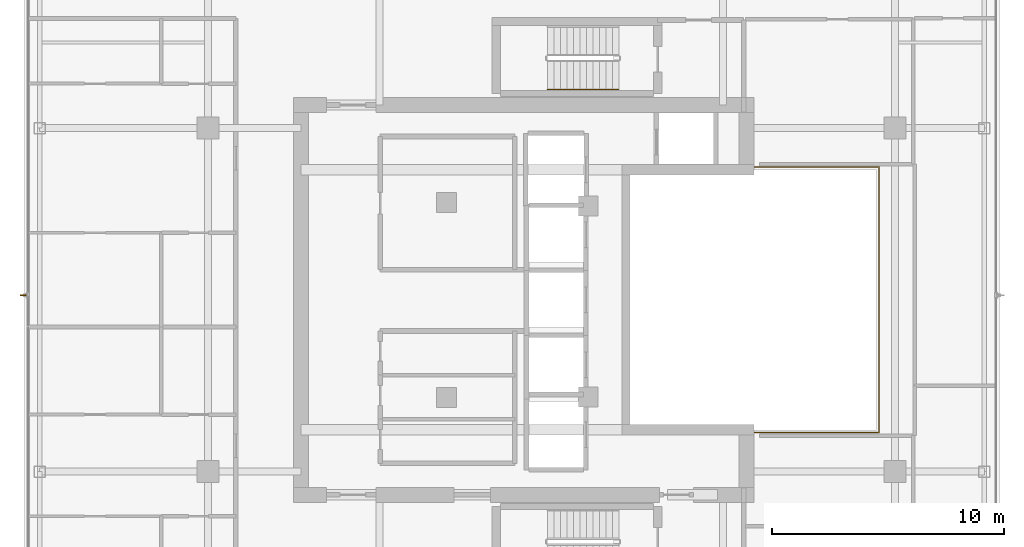
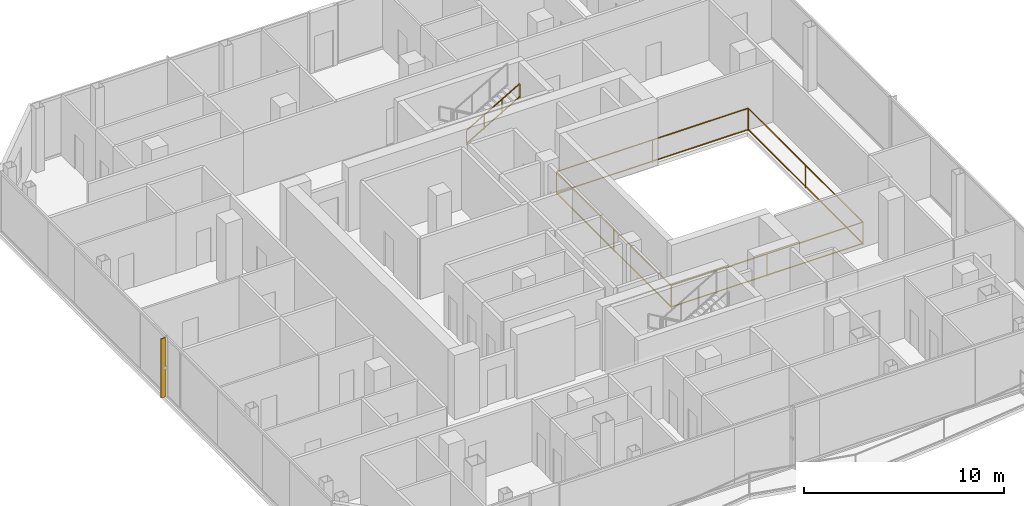
# One storey, part 23 of 26: 2 railings, 1 shading device.
"""IFC4 building model written with IfcOpenShell, lengths in metres."""

from ifc_helpers import new_model, si_unit, direction, frame, origin, origin_2d, place, context, subcontext, project, spatial, rectangle, extrude, material, layer, layer_set, type_object, element, save


model = new_model("IFC4")

# Units and contexts
model_context = context("Model", 3, precision=1e-05, world=origin(), true_north=direction((0.0, 1.0)))
body_context = subcontext(model_context, "Body", "Model", "MODEL_VIEW")
ifc_project = project(units=[si_unit("LENGTHUNIT", "METRE"), si_unit("AREAUNIT", "SQUARE_METRE"), si_unit("VOLUMEUNIT", "CUBIC_METRE"), si_unit("PLANEANGLEUNIT", "RADIAN"), si_unit("MASSUNIT", "GRAM", prefix="KILO")], contexts=[model_context])

# Site, building, storey
site_placement = place(None, origin())
site = spatial("IfcSite", under=ifc_project, at=site_placement, CompositionType="ELEMENT")
building_placement = place(site_placement, origin())
building = spatial("IfcBuilding", under=site, at=building_placement, Name="Khorvyn Point Tower", CompositionType="ELEMENT")
storey_placement = place(building_placement, frame((0.0, 0.0, 289.800048828125)))
storey = spatial("IfcBuildingStorey", under=building, at=storey_placement, Name="L71", CompositionType="ELEMENT", Elevation=289.800048828125)

# Railing
ifc_material_1 = material(Name="Stainless steel 1.4401 and laminated glass", Category="steel")
railing_type_1 = type_object("IfcRailingType", Name="Crystal Atrium Smoke-Rated Perimeter Guardrail 1400", PredefinedType="GUARDRAIL", material=ifc_material_1)
railing_1_placement = place(storey_placement, frame((3.080078125, -5.719970703125, 0.0)))
element("IfcRailing", 1, at=railing_1_placement, inside=storey, type_object=railing_type_1, Name="L71 Crystal Atrium Perimeter Guardrail", PredefinedType="GUARDRAIL", context=body_context, shape_type="SweptSolid", body=[
    extrude(rectangle(XDim=0.048095703125, YDim=0.048095703125, at=origin_2d()), frame((0.0, 0.0, 1.3759765625), z_axis=(1.0, 0.0, 0.0), x_axis=(0.0, 1.0, 0.0)), (0.0, 0.0, 1.0), 11.0400390625),
    extrude(rectangle(XDim=0.048095703125, YDim=0.048095703125, at=origin_2d()), frame((0.0, 0.0, 0.080078125), z_axis=(1.0, 0.0, 0.0), x_axis=(0.0, 1.0, 0.0)), (0.0, 0.0, 1.0), 11.0400390625),
    extrude(rectangle(XDim=0.048095703125, YDim=0.048095703125, at=origin_2d()), frame((11.0400390625, 0.0, 1.3759765625), z_axis=(0.0, 1.0, 0.0), x_axis=(-1.0, 0.0, 0.0)), (0.0, 0.0, 1.0), 11.43994140625),
    extrude(rectangle(XDim=0.048095703125, YDim=0.048095703125, at=origin_2d()), frame((11.0400390625, 0.0, 0.080078125), z_axis=(0.0, 1.0, 0.0), x_axis=(-1.0, 0.0, 0.0)), (0.0, 0.0, 1.0), 11.43994140625),
    extrude(rectangle(XDim=0.048095703125, YDim=0.048095703125, at=origin_2d()), frame((11.0400390625, 11.43994140625, 1.3759765625), z_axis=(-1.0, 0.0, 0.0), x_axis=(0.0, -1.0, 0.0)), (0.0, 0.0, 1.0), 11.0400390625),
    extrude(rectangle(XDim=0.048095703125, YDim=0.048095703125, at=origin_2d()), frame((11.0400390625, 11.43994140625, 0.080078125), z_axis=(-1.0, 0.0, 0.0), x_axis=(0.0, -1.0, 0.0)), (0.0, 0.0, 1.0), 11.0400390625),
    extrude(rectangle(XDim=0.048095703125, YDim=0.048095703125, at=origin_2d()), frame((0.0, 11.43994140625, 1.3759765625), z_axis=(0.0, -1.0, 0.0), x_axis=(1.0, 0.0, 0.0)), (0.0, 0.0, 1.0), 11.409912109375),
    extrude(rectangle(XDim=0.048095703125, YDim=0.048095703125, at=origin_2d()), frame((0.0, 11.43994140625, 0.080078125), z_axis=(0.0, -1.0, 0.0), x_axis=(1.0, 0.0, 0.0)), (0.0, 0.0, 1.0), 11.409912109375),
    extrude(rectangle(XDim=0.0419921875, YDim=0.0419921875, at=origin_2d()), origin(), (0.0, 0.0, 1.0), 1.351806640625),
    extrude(rectangle(XDim=0.0419921875, YDim=0.0419921875, at=origin_2d()), frame((5.52001953125, 0.0, 0.0)), (0.0, 0.0, 1.0), 1.351806640625),
    extrude(rectangle(XDim=0.0419921875, YDim=0.0419921875, at=origin_2d()), frame((11.0400390625, 0.0, 0.0)), (0.0, 0.0, 1.0), 1.351806640625),
    extrude(rectangle(XDim=0.0419921875, YDim=0.0419921875, at=origin_2d()), frame((11.0400390625, 5.719970703125, 0.0)), (0.0, 0.0, 1.0), 1.351806640625),
    extrude(rectangle(XDim=0.0419921875, YDim=0.0419921875, at=origin_2d()), frame((11.0400390625, 11.43994140625, 0.0)), (0.0, 0.0, 1.0), 1.351806640625),
    extrude(rectangle(XDim=0.0419921875, YDim=0.0419921875, at=origin_2d()), frame((5.52001953125, 11.43994140625, 0.0)), (0.0, 0.0, 1.0), 1.351806640625),
    extrude(rectangle(XDim=0.0419921875, YDim=0.0419921875, at=origin_2d()), frame((0.0, 11.43994140625, 0.0)), (0.0, 0.0, 1.0), 1.351806640625),
    extrude(rectangle(XDim=0.0419921875, YDim=0.0419921875, at=origin_2d()), frame((0.0, 5.73486328125, 0.0)), (0.0, 0.0, 1.0), 1.351806640625),
    extrude(rectangle(XDim=0.0419921875, YDim=0.0419921875, at=origin_2d()), frame((0.0, 0.030029296875, 0.0)), (0.0, 0.0, 1.0), 1.351806640625),
])

# Shading device
ifc_material_2 = material(Name="Pale anodised aluminium 6063-T6", Category="aluminium")
ifc_layer = layer(ifc_material_2, 0.054931640625)
ifc_layer_set = layer_set([ifc_layer], Name="Pale Anodised Aluminium FIN 260x55")
shading_device_type = type_object("IfcShadingDeviceType", Name="Pale Anodised Aluminium FIN 260x55", PredefinedType="USERDEFINED", material=ifc_layer_set)
shading_device_placement = place(storey_placement, frame((-22.77001953125, 0.199951171875, 0.039794921875), z_axis=(0.0, 0.0, 1.0), x_axis=(-1.0, 0.0, 0.0)))
element("IfcShadingDevice", 2, at=shading_device_placement, inside=storey, type_object=shading_device_type, Name="L71 Anodised FIN 01", ObjectType="FIN", PredefinedType="USERDEFINED", context=body_context, shape_type="SweptSolid", body=[
    extrude(rectangle(XDim=0.260009765625, YDim=0.054931640625, at=origin_2d()), origin(), (0.0, 0.0, 1.0), 3.60009765625),
])

# Railing
ifc_material_3 = material(Name="Stainless steel 1.4301", Category="steel")
railing_type_2 = type_object("IfcRailingType", Name="Stainless Steel 304 Stair Pitch Handrail 900", PredefinedType="HANDRAIL", material=ifc_material_3)
railing_2_placement = place(storey_placement, frame((-0.179931640625, 9.070068359375, 2.112548828125)))
element("IfcRailing", 3, at=railing_2_placement, inside=storey, type_object=railing_type_2, Name="L71 ST-02 stair handrail 2", PredefinedType="HANDRAIL", context=body_context, shape_type="SweptSolid", body=[
    extrude(rectangle(XDim=0.048095703125, YDim=0.048095703125, at=origin_2d()), frame((0.0, 0.0, 0.8759765625), z_axis=(0.864903211148, 0.0, 0.501938676878), x_axis=(0.0, 1.0, 0.0)), (0.0, 0.0, 1.0), 3.560791015625),
    extrude(rectangle(XDim=0.048095703125, YDim=0.048095703125, at=origin_2d()), frame((0.0, 0.0, 0.080078125), z_axis=(0.864903211148, 0.0, 0.501938676878), x_axis=(0.0, 1.0, 0.0)), (0.0, 0.0, 1.0), 3.560791015625),
    extrude(rectangle(XDim=0.0419921875, YDim=0.0419921875, at=origin_2d()), origin(), (0.0, 0.0, 1.0), 0.851806640625),
    extrude(rectangle(XDim=0.0419921875, YDim=0.0419921875, at=origin_2d()), frame((1.026611328125, 0.0, 0.595703125)), (0.0, 0.0, 1.0), 0.851806640625),
    extrude(rectangle(XDim=0.0419921875, YDim=0.0419921875, at=origin_2d()), frame((2.05322265625, 0.0, 1.191650390625)), (0.0, 0.0, 1.0), 0.851806640625),
    extrude(rectangle(XDim=0.0419921875, YDim=0.0419921875, at=origin_2d()), frame((3.079833984375, 0.0, 1.787353515625)), (0.0, 0.0, 1.0), 0.851806640625),
])

save(model, "model.ifc")
